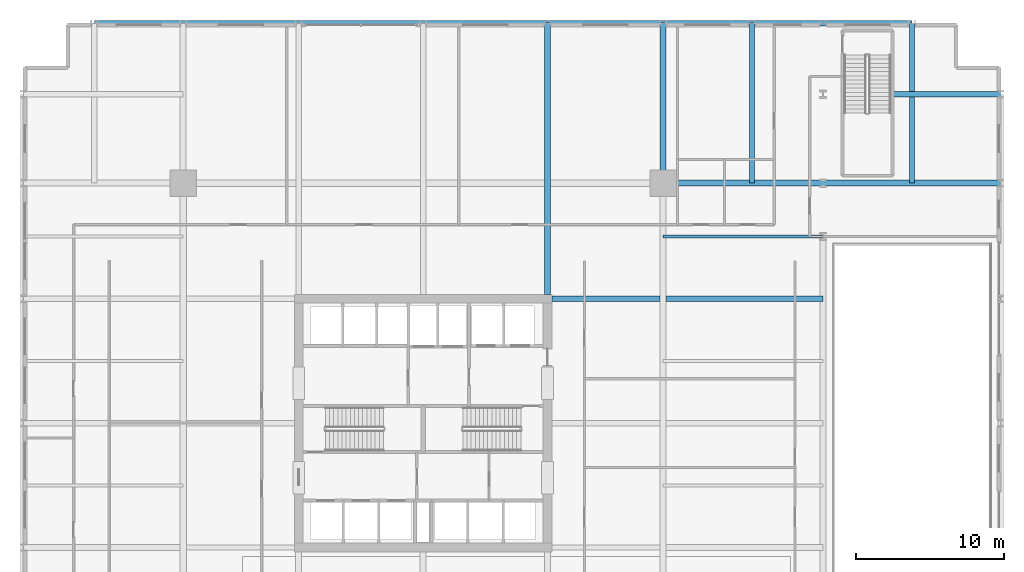
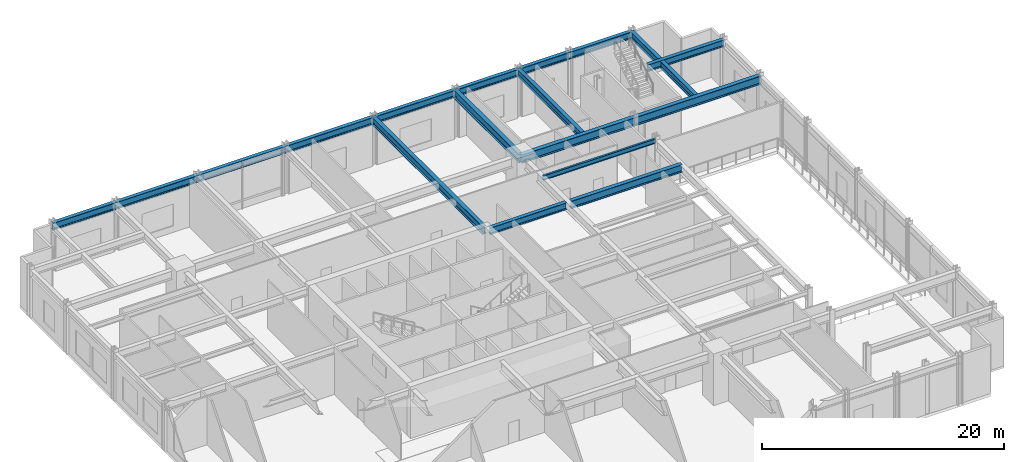
# One storey, part 6 of 21: 11 beams.
"""IFC4 building model written with IfcOpenShell, lengths in metres."""

from ifc_helpers import new_model, si_unit, direction, frame, origin, origin_2d, place, context, subcontext, project, spatial, i_section, extrude, material, material_profile, profile_set, type_object, element, save


model = new_model("IFC4")

# Units and contexts
model_context = context("Model", 3, precision=1e-05, world=origin(), true_north=direction((0.0, 1.0)))
body_context = subcontext(model_context, "Body", "Model", "MODEL_VIEW")
ifc_project = project(units=[si_unit("LENGTHUNIT", "METRE"), si_unit("AREAUNIT", "SQUARE_METRE"), si_unit("VOLUMEUNIT", "CUBIC_METRE"), si_unit("PLANEANGLEUNIT", "RADIAN"), si_unit("MASSUNIT", "GRAM", prefix="KILO")], contexts=[model_context])

# Site, building, storey
site_placement = place(None, origin())
site = spatial("IfcSite", under=ifc_project, at=site_placement, CompositionType="ELEMENT")
building_placement = place(site_placement, origin())
building = spatial("IfcBuilding", under=site, at=building_placement, Name="Drelvath Grand Hotel", CompositionType="ELEMENT")
storey_placement = place(building_placement, frame((0.0, 0.0, 22.39990234375)))
storey = spatial("IfcBuildingStorey", under=building, at=storey_placement, Name="L04", CompositionType="ELEMENT", Elevation=22.39990234375)

# Beams
ifc_material = material(Name="Steel ASTM A992 Gr 50", Category="steel")
ifc_material_profile_1 = material_profile(ifc_material, i_section(OverallWidth=0.19140625, OverallDepth=0.4599609375, WebThickness=0.010009765625, FlangeThickness=0.01611328125, FilletRadius=0.01611328125, at=origin_2d()), Name="W18X55")
ifc_profile_set_1 = profile_set([ifc_material_profile_1], Name="Steel ASTM A992 Gr 50")
beam_type_1 = type_object("IfcBeamType", Name="Composite Floor Joist W18X55", PredefinedType="JOIST", material=ifc_profile_set_1)
beam_1_placement = place(storey_placement, frame((16.199951171875, 39.60009765625, 4.6201171875), z_axis=(1.0, 0.0, 0.0), x_axis=(0.0, 1.0, 0.0)))
element("IfcBeam", 1, at=beam_1_placement, inside=storey, type_object=beam_type_1, Name="L04 East Composite Joist J4", PredefinedType="JOIST", context=body_context, shape_type="SweptSolid", body=[
    extrude(i_section(OverallWidth=0.19140625, OverallDepth=0.4599609375, WebThickness=0.010009765625, FlangeThickness=0.01611328125, FilletRadius=0.01611328125, at=origin_2d()), origin(), (0.0, 0.0, 1.0), 10.800048828125),
])
ifc_material_profile_2 = material_profile(ifc_material, i_section(OverallWidth=0.354736328125, OverallDepth=0.695556640625, WebThickness=0.015380859375, FlangeThickness=0.025146484375, FilletRadius=0.02392578125, at=origin_2d()), Name="W27X146")
ifc_profile_set_2 = profile_set([ifc_material_profile_2], Name="Steel ASTM A992 Gr 50")
beam_type_2 = type_object("IfcBeamType", Name="Perimeter Spandrel Beam W27X146", PredefinedType="SPANDREL", material=ifc_profile_set_2)
beam_2_placement = place(storey_placement, frame((-22.199951171875, 54.0, 4.502197265625), z_axis=(1.0, 0.0, 0.0), x_axis=(0.0, 1.0, 0.0)))
element("IfcBeam", 2, at=beam_2_placement, inside=storey, type_object=beam_type_2, Name="L04 Podium Perimeter Spandrel SPN1", PredefinedType="SPANDREL", context=body_context, shape_type="SweptSolid", body=[
    extrude(i_section(OverallWidth=0.354736328125, OverallDepth=0.695556640625, WebThickness=0.015380859375, FlangeThickness=0.025146484375, FilletRadius=0.02392578125, at=origin_2d()), origin(), (0.0, 0.0, 1.0), 55.199951171875),
])
ifc_material_profile_3 = material_profile(ifc_material, i_section(OverallWidth=0.354736328125, OverallDepth=0.695556640625, WebThickness=0.015380859375, FlangeThickness=0.025146484375, FilletRadius=0.02392578125, at=origin_2d()), Name="W27X146")
ifc_profile_set_3 = profile_set([ifc_material_profile_3], Name="Steel ASTM A992 Gr 50")
beam_type_3 = type_object("IfcBeamType", Name="Primary Floor Girder W27X146", PredefinedType="BEAM", material=ifc_profile_set_3)
beam_3_placement = place(storey_placement, frame((8.699951171875, 35.39990234375, 4.502197265625), z_axis=(1.0, 0.0, 0.0), x_axis=(0.0, 1.0, 0.0)))
element("IfcBeam", 3, at=beam_3_placement, inside=storey, type_object=beam_type_3, Name="L04 East Core Girder F", PredefinedType="BEAM", context=body_context, shape_type="SweptSolid", body=[
    extrude(i_section(OverallWidth=0.354736328125, OverallDepth=0.695556640625, WebThickness=0.015380859375, FlangeThickness=0.025146484375, FilletRadius=0.02392578125, at=origin_2d()), origin(), (0.0, 0.0, 1.0), 7.28857421875),
])
beam_4_placement = place(storey_placement, frame((31.679931640625, 49.199951171875, 4.502197265625), z_axis=(1.0, 0.0, 0.0), x_axis=(0.0, 1.0, 0.0)))
element("IfcBeam", 4, at=beam_4_placement, inside=storey, type_object=beam_type_3, Name="L04 East Corner Tie H", PredefinedType="BEAM", context=body_context, shape_type="SweptSolid", body=[
    extrude(i_section(OverallWidth=0.354736328125, OverallDepth=0.695556640625, WebThickness=0.015380859375, FlangeThickness=0.025146484375, FilletRadius=0.02392578125, at=origin_2d()), origin(), (0.0, 0.0, 1.0), 7.320068359375),
])
for number, where, z_axis, x_axis, name in (
    (5, (22.199951171875, 43.199951171875, 4.502197265625), (0.0, 1.0, 0.0), (-1.0, 0.0, 0.0), "L04 North Corner Tie 8"),
    (6, (33.0, 43.199951171875, 4.502197265625), (0.0, 1.0, 0.0), (-1.0, 0.0, 0.0), "L04 North Corner Tie 10"),
):
    element("IfcBeam", number, at=place(storey_placement, frame(where, z_axis=z_axis, x_axis=x_axis)), inside=storey, type_object=beam_type_3, Name=name, PredefinedType="BEAM", context=body_context, shape_type="SweptSolid", body=[
        extrude(i_section(OverallWidth=0.354736328125, OverallDepth=0.695556640625, WebThickness=0.015380859375, FlangeThickness=0.025146484375, FilletRadius=0.02392578125, at=origin_2d()), origin(), (0.0, 0.0, 1.0), 10.800048828125),
    ])
ifc_material_profile_4 = material_profile(ifc_material, i_section(OverallWidth=0.380615234375, OverallDepth=0.773193359375, WebThickness=0.0166015625, FlangeThickness=0.027099609375, FilletRadius=0.02490234375, at=origin_2d()), Name="W30X173")
ifc_profile_set_4 = profile_set([ifc_material_profile_4], Name="Steel ASTM A992 Gr 50")
beam_type_4 = type_object("IfcBeamType", Name="Primary Floor Girder W30X173", PredefinedType="BEAM", material=ifc_profile_set_4)
beam_5_placement = place(storey_placement, frame((8.39990234375, 35.699951171875, 4.46337890625), z_axis=(0.0, 1.0, 0.0), x_axis=(-1.0, 0.0, 0.0)))
element("IfcBeam", 7, at=beam_5_placement, inside=storey, type_object=beam_type_4, Name="L04 North Span Girder Grid 6", PredefinedType="BEAM", context=body_context, shape_type="SweptSolid", body=[
    extrude(i_section(OverallWidth=0.380615234375, OverallDepth=0.773193359375, WebThickness=0.0166015625, FlangeThickness=0.027099609375, FilletRadius=0.02490234375, at=origin_2d()), origin(), (0.0, 0.0, 1.0), 18.300048828125),
])
beam_6_placement = place(storey_placement, frame((16.41162109375, 35.39990234375, 4.46337890625), z_axis=(1.0, 0.0, 0.0), x_axis=(0.0, 1.0, 0.0)))
element("IfcBeam", 8, at=beam_6_placement, inside=storey, type_object=beam_type_4, Name="L04 East Bay Girder F", PredefinedType="BEAM", context=body_context, shape_type="SweptSolid", body=[
    extrude(i_section(OverallWidth=0.380615234375, OverallDepth=0.773193359375, WebThickness=0.0166015625, FlangeThickness=0.027099609375, FilletRadius=0.02490234375, at=origin_2d()), origin(), (0.0, 0.0, 1.0), 10.58837890625),
])
ifc_material_profile_5 = material_profile(ifc_material, i_section(OverallWidth=0.39990234375, OverallDepth=0.85546875, WebThickness=0.018310546875, FlangeThickness=0.029296875, FilletRadius=0.02490234375, at=origin_2d()), Name="W33X201")
ifc_profile_set_5 = profile_set([ifc_material_profile_5], Name="Steel ASTM A992 Gr 50")
beam_type_5 = type_object("IfcBeamType", Name="Primary Floor Girder W33X201", PredefinedType="BEAM", material=ifc_profile_set_5)
beam_7_placement = place(storey_placement, frame((16.199951171875, 43.199951171875, 4.42236328125), z_axis=(1.0, 0.0, 0.0), x_axis=(0.0, 1.0, 0.0)))
element("IfcBeam", 9, at=beam_7_placement, inside=storey, type_object=beam_type_5, Name="L04 East Podium Girder 1 G", PredefinedType="BEAM", context=body_context, shape_type="SweptSolid", body=[
    extrude(i_section(OverallWidth=0.39990234375, OverallDepth=0.85546875, WebThickness=0.018310546875, FlangeThickness=0.029296875, FilletRadius=0.02490234375, at=origin_2d()), origin(), (0.0, 0.0, 1.0), 10.800048828125),
])
beam_8_placement = place(storey_placement, frame((27.0, 43.199951171875, 4.42236328125), z_axis=(1.0, 0.0, 0.0), x_axis=(0.0, 1.0, 0.0)))
element("IfcBeam", 10, at=beam_8_placement, inside=storey, type_object=beam_type_5, Name="L04 East Podium Girder 2 G", PredefinedType="BEAM", context=body_context, shape_type="SweptSolid", body=[
    extrude(i_section(OverallWidth=0.39990234375, OverallDepth=0.85546875, WebThickness=0.018310546875, FlangeThickness=0.029296875, FilletRadius=0.02490234375, at=origin_2d()), origin(), (0.0, 0.0, 1.0), 12.0),
])
beam_9_placement = place(storey_placement, frame((16.199951171875, 43.199951171875, 4.42236328125), z_axis=(0.0, 1.0, 0.0), x_axis=(-1.0, 0.0, 0.0)))
element("IfcBeam", 11, at=beam_9_placement, inside=storey, type_object=beam_type_5, Name="L04 North Podium Girder 7", PredefinedType="BEAM", context=body_context, shape_type="SweptSolid", body=[
    extrude(i_section(OverallWidth=0.39990234375, OverallDepth=0.85546875, WebThickness=0.018310546875, FlangeThickness=0.029296875, FilletRadius=0.02490234375, at=origin_2d()), origin(), (0.0, 0.0, 1.0), 10.800048828125),
])

save(model, "model.ifc")
